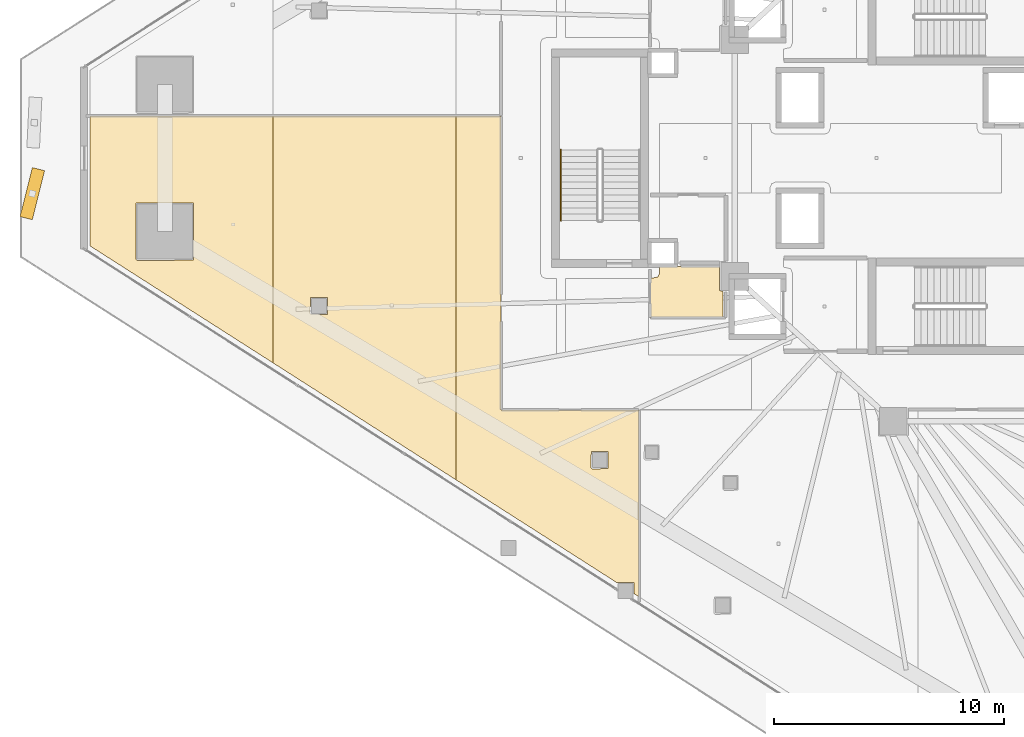
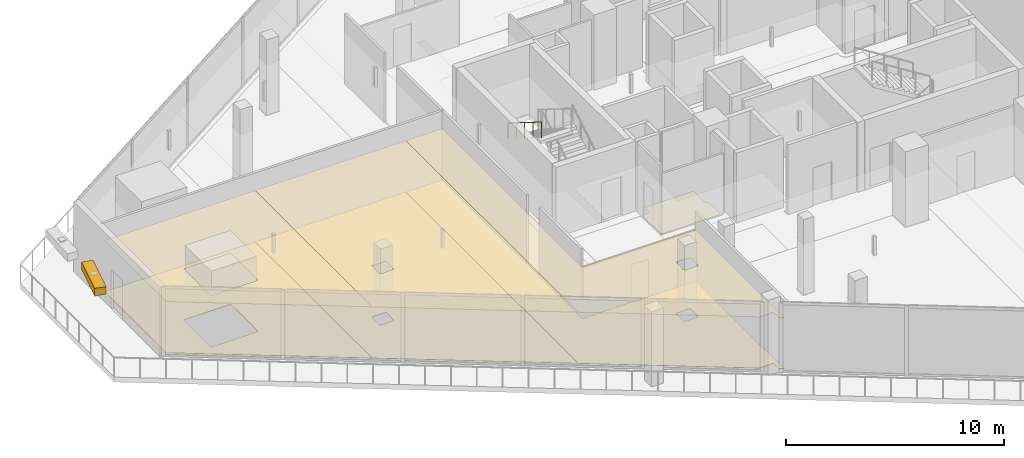
# One storey, part 37 of 45: 7 coverings, 1 railing, 1 shading device.
"""IFC4 building model written with IfcOpenShell, lengths in metres."""

from ifc_helpers import new_model, si_unit, direction, frame, origin, origin_2d, place, context, subcontext, project, spatial, polyline, rectangle, circle, outline, extrude, material, layer, layer_set, type_object, element, save


model = new_model("IFC4")

# Units and contexts
model_context = context("Model", 3, precision=1e-05, world=origin(), true_north=direction((0.0, 1.0)))
body_context = subcontext(model_context, "Body", "Model", "MODEL_VIEW")
ifc_project = project(units=[si_unit("LENGTHUNIT", "METRE"), si_unit("AREAUNIT", "SQUARE_METRE"), si_unit("VOLUMEUNIT", "CUBIC_METRE"), si_unit("PLANEANGLEUNIT", "RADIAN"), si_unit("MASSUNIT", "GRAM", prefix="KILO")], contexts=[model_context])

# Site, building, storey
site_placement = place(None, origin())
site = spatial("IfcSite", under=ifc_project, at=site_placement, CompositionType="ELEMENT")
building_placement = place(site_placement, origin())
building = spatial("IfcBuilding", under=site, at=building_placement, Name="Qorvath Tower", CompositionType="ELEMENT")
storey_placement = place(building_placement, frame((0.0, 0.0, 95.39990234375)))
storey = spatial("IfcBuildingStorey", under=building, at=storey_placement, Name="L21", CompositionType="ELEMENT", Elevation=95.39990234375)

# Coverings
ifc_material_1 = material(Name="Acoustic mineral fibre ceiling tile", Category="gypsum")
ifc_layer_1 = layer(ifc_material_1, 0.030029296875)
ifc_layer_set_1 = layer_set([ifc_layer_1], Name="COV-CEIL")
covering_type_1 = type_object("IfcCoveringType", Name="COV-CEIL", PredefinedType="CEILING", material=ifc_layer_set_1)
covering_1_placement = place(storey_placement, frame((0.0, 0.0, 2.85009765625)))
element("IfcCovering", 1, at=covering_1_placement, inside=storey, type_object=covering_type_1, Name="L21 Suspended Acoustic Ceiling 024", PredefinedType="CEILING", context=body_context, shape_type="SweptSolid", body=[
    extrude(outline(polyline([(-58.5380859375, 1.82568359375), (-58.5380859375, -3.818115234375), (-50.579833984375, -8.904541015625), (-50.579833984375, 1.82568359375), (-58.5380859375, 1.82568359375)]), holes=[polyline([(-56.54296875, -4.39453125), (-56.525390625, -1.9521484375), (-54.04052734375, -1.9521484375), (-54.04052734375, -4.43701171875), (-56.48291015625, -4.45458984375), (-56.54296875, -4.39453125)])]), origin(), (0.0, 0.0, 1.0), 0.030029296875),
])
covering_2_placement = place(storey_placement, frame((0.0, 0.0, 2.85009765625)))
element("IfcCovering", 2, at=covering_2_placement, inside=storey, type_object=covering_type_1, Name="L21 Suspended Acoustic Ceiling 025", PredefinedType="CEILING", context=body_context, shape_type="SweptSolid", body=[
    extrude(outline(polyline([(-50.579833984375, 1.82568359375), (-50.579833984375, -8.904541015625), (-42.621337890625, -13.990966796875), (-42.621337890625, 1.82568359375), (-50.579833984375, 1.82568359375)]), holes=[polyline([(-48.96337890625, -6.74951171875), (-48.94580078125, -6.05712890625), (-48.2109375, -6.05712890625), (-48.2109375, -6.7919921875), (-48.9033203125, -6.8095703125), (-48.96337890625, -6.74951171875)])]), origin(), (0.0, 0.0, 1.0), 0.030029296875),
])
covering_3_placement = place(storey_placement, frame((0.0, 0.0, 2.85009765625)))
element("IfcCovering", 3, at=covering_3_placement, inside=storey, type_object=covering_type_1, Name="L21 Suspended Acoustic Ceiling 026", PredefinedType="CEILING", context=body_context, shape_type="SweptSolid", body=[
    extrude(outline(polyline([(-42.621337890625, 1.82568359375), (-42.621337890625, -13.990966796875), (-35.62060546875, -18.46533203125), (-34.88427734375, -18.4619140625), (-34.86669921875, -18.947265625), (-34.6630859375, -19.077392578125), (-34.6630859375, -10.962890625), (-40.6630859375, -10.9580078125), (-40.6630859375, 1.82568359375), (-42.621337890625, 1.82568359375)]), holes=[polyline([(-36.749755859375, -13.46044921875), (-36.732177734375, -12.76806640625), (-35.997314453125, -12.76806640625), (-35.997314453125, -13.5029296875), (-36.689697265625, -13.5205078125), (-36.749755859375, -13.46044921875)])]), origin(), (0.0, 0.0, 1.0), 0.030029296875),
])
ifc_material_2 = material(Name="Low-VOC modular carpet tile", Category="textile")
ifc_layer_2 = layer(ifc_material_2, 0.014892578125)
ifc_layer_set_2 = layer_set([ifc_layer_2], Name="COV-FLOOR-CPT")
covering_type_2 = type_object("IfcCoveringType", Name="COV-FLOOR-CPT", PredefinedType="FLOORING", material=ifc_layer_set_2)
covering_4_placement = place(storey_placement, origin())
element("IfcCovering", 4, at=covering_4_placement, inside=storey, type_object=covering_type_2, Name="L21 Floor Finish 024", PredefinedType="FLOORING", context=body_context, shape_type="SweptSolid", body=[
    extrude(outline(polyline([(-58.5380859375, 1.82568359375), (-58.5380859375, -3.818115234375), (-50.579833984375, -8.904541015625), (-50.579833984375, 1.82568359375), (-58.5380859375, 1.82568359375)]), holes=[polyline([(-56.54296875, -4.39453125), (-56.525390625, -1.9521484375), (-54.04052734375, -1.9521484375), (-54.04052734375, -4.43701171875), (-56.48291015625, -4.45458984375), (-56.54296875, -4.39453125)])]), origin(), (0.0, 0.0, 1.0), 0.01513671875),
])
covering_5_placement = place(storey_placement, origin())
element("IfcCovering", 5, at=covering_5_placement, inside=storey, type_object=covering_type_2, Name="L21 Floor Finish 025", PredefinedType="FLOORING", context=body_context, shape_type="SweptSolid", body=[
    extrude(outline(polyline([(-50.579833984375, 1.82568359375), (-50.579833984375, -8.904541015625), (-42.621337890625, -13.990966796875), (-42.621337890625, 1.82568359375), (-50.579833984375, 1.82568359375)]), holes=[polyline([(-48.96337890625, -6.74951171875), (-48.94580078125, -6.05712890625), (-48.2109375, -6.05712890625), (-48.2109375, -6.7919921875), (-48.9033203125, -6.8095703125), (-48.96337890625, -6.74951171875)])]), origin(), (0.0, 0.0, 1.0), 0.01513671875),
])
covering_6_placement = place(storey_placement, origin())
element("IfcCovering", 6, at=covering_6_placement, inside=storey, type_object=covering_type_2, Name="L21 Floor Finish 026", PredefinedType="FLOORING", context=body_context, shape_type="SweptSolid", body=[
    extrude(outline(polyline([(-42.621337890625, 1.82568359375), (-42.621337890625, -13.990966796875), (-35.62060546875, -18.46533203125), (-34.88427734375, -18.4619140625), (-34.86669921875, -18.947265625), (-34.6630859375, -19.077392578125), (-34.6630859375, -10.962890625), (-40.6630859375, -10.9580078125), (-40.6630859375, 1.82568359375), (-42.621337890625, 1.82568359375)]), holes=[polyline([(-36.749755859375, -13.46044921875), (-36.732177734375, -12.76806640625), (-35.997314453125, -12.76806640625), (-35.997314453125, -13.5029296875), (-36.689697265625, -13.5205078125), (-36.749755859375, -13.46044921875)])]), origin(), (0.0, 0.0, 1.0), 0.01513671875),
])
ifc_material_3 = material(Name="Polished epoxy terrazzo flooring", Category="concrete")
ifc_layer_3 = layer(ifc_material_3, 0.02001953125)
ifc_layer_set_3 = layer_set([ifc_layer_3], Name="COV-FLOOR-TRZ")
covering_type_3 = type_object("IfcCoveringType", Name="COV-FLOOR-TRZ", PredefinedType="FLOORING", material=ifc_layer_set_3)
covering_7_placement = place(storey_placement, origin())
element("IfcCovering", 7, at=covering_7_placement, inside=storey, type_object=covering_type_3, Name="L21 Floor Finish 004", PredefinedType="FLOORING", context=body_context, shape_type="SweptSolid", body=[
    extrude(outline(polyline([(-31.159912109375, -4.705078125), (-33.760009765625, -4.705078125), (-33.760009765625, -4.989990234375), (-33.833251953125, -5.166748046875), (-34.175048828125, -5.239990234375), (-34.175048828125, -6.945068359375), (-31.010009765625, -6.945068359375), (-31.010009765625, -5.81005859375), (-31.159912109375, -5.75), (-31.159912109375, -4.705078125)])), origin(), (0.0, 0.0, 1.0), 0.01513671875),
])

# Railing
ifc_material_4 = material(Name="Brushed stainless steel AISI 304", Category="steel")
railing_type = type_object("IfcRailingType", Name="RL-STR-HND", PredefinedType="HANDRAIL", material=ifc_material_4)
railing_placement = place(storey_placement, frame((-38.06005859375, 0.360107421875, 2.275146484375)))
element("IfcRailing", 8, at=railing_placement, inside=storey, type_object=railing_type, Name="L21 TS3 stair handrail 2", PredefinedType="HANDRAIL", context=body_context, shape_type="SweptSolid", body=[
    extrude(circle(Radius=0.02392578125, at=origin_2d()), frame((0.0, 0.0, 0.8759765625), z_axis=(0.0, -0.847998304005, 0.529998940003), x_axis=(1.0, 0.0, 0.0)), (0.0, 0.0, 1.0), 3.632080078125),
    extrude(circle(Radius=0.02099609375, at=origin_2d()), origin(), (0.0, 0.0, 1.0), 0.851806640625),
    extrude(circle(Radius=0.02099609375, at=origin_2d()), frame((0.0, -0.77001953125, 0.481201171875)), (0.0, 0.0, 1.0), 0.851806640625),
    extrude(circle(Radius=0.02099609375, at=origin_2d()), frame((0.0, -1.5400390625, 0.96240234375)), (0.0, 0.0, 1.0), 0.851806640625),
    extrude(circle(Radius=0.02099609375, at=origin_2d()), frame((0.0, -2.31005859375, 1.44384765625)), (0.0, 0.0, 1.0), 0.851806640625),
    extrude(circle(Radius=0.02099609375, at=origin_2d()), frame((0.0, -3.080078125, 1.925048828125)), (0.0, 0.0, 1.0), 0.851806640625),
])

# Shading device
ifc_material_5 = material(Name="Anodised bronze-champagne aluminium", Category="aluminium")
shading_device_type = type_object("IfcShadingDeviceType", Name="SD-LOUVRE", PredefinedType="JALOUSIE", material=ifc_material_5)
shading_device_placement = place(storey_placement, frame((-61.044189453125, -1.544921875, 3.480224609375), z_axis=(0.0, 0.0, 1.0), x_axis=(-0.244149882443, -0.969737508248, 0.0)))
element("IfcShadingDevice", 9, at=shading_device_placement, inside=storey, type_object=shading_device_type, Name="Sinusoidal Wave Louvre Blade L21-02", PredefinedType="NOTDEFINED", context=body_context, shape_type="SweptSolid", body=[
    extrude(rectangle(XDim=2.199951171875, YDim=0.550048828125, at=origin_2d()), origin(), (0.0, 0.0, 1.0), 0.419921875),
])

save(model, "model.ifc")
